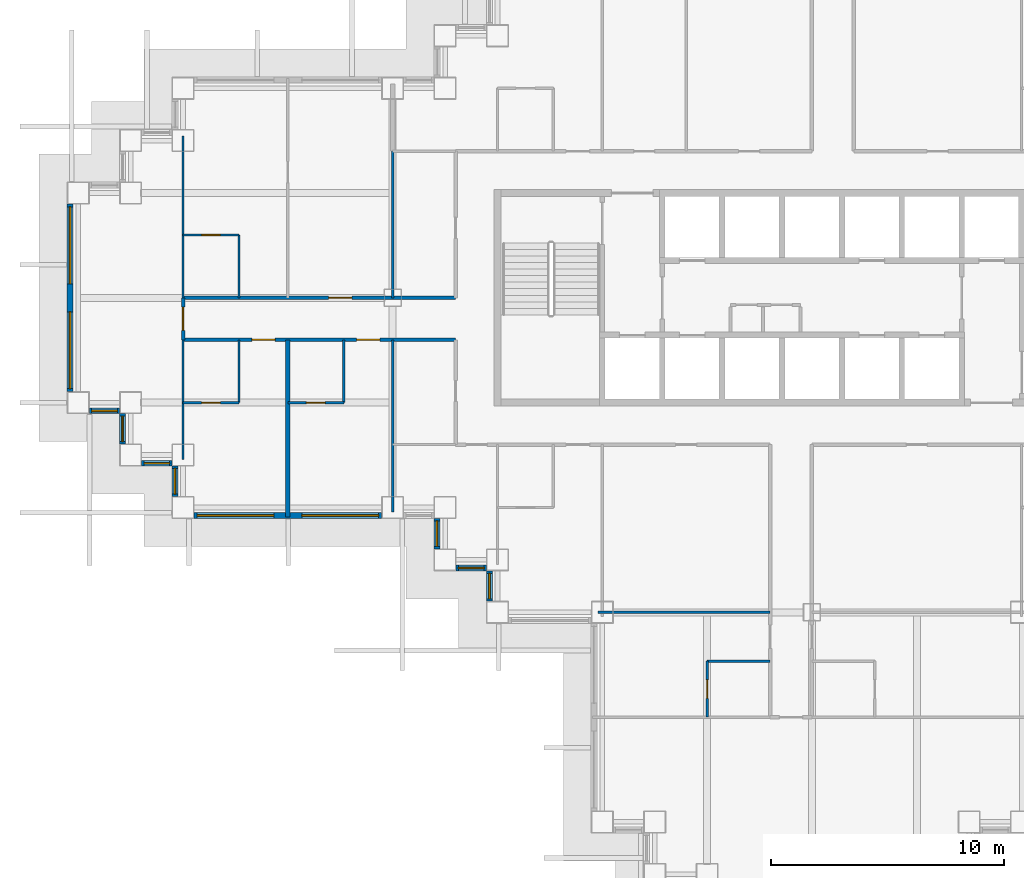
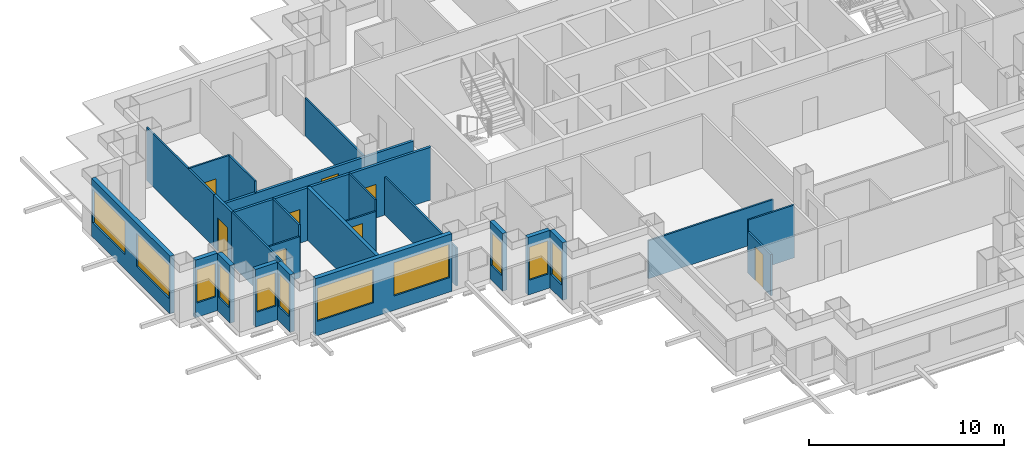
# One storey, part 3 of 15: 26 walls, 11 windows, 8 doors, 19 openings.
"""IFC4 building model written with IfcOpenShell, lengths in metres."""

from ifc_helpers import new_model, si_unit, direction, frame, frame_2d, origin, place, context, subcontext, project, spatial, rectangle, extrude, material, layer, layer_set, type_object, element, fill, save


model = new_model("IFC4")

# Units and contexts
model_context = context("Model", 3, precision=1e-05, world=origin(), true_north=direction((0.0, 1.0)))
body_context = subcontext(model_context, "Body", "Model", "MODEL_VIEW")
ifc_project = project(units=[si_unit("LENGTHUNIT", "METRE"), si_unit("AREAUNIT", "SQUARE_METRE"), si_unit("VOLUMEUNIT", "CUBIC_METRE"), si_unit("PLANEANGLEUNIT", "RADIAN"), si_unit("MASSUNIT", "GRAM", prefix="KILO")], contexts=[model_context])

# Site, building, storey
site_placement = place(None, origin())
site = spatial("IfcSite", under=ifc_project, at=site_placement, CompositionType="ELEMENT")
building_placement = place(site_placement, origin())
building = spatial("IfcBuilding", under=site, at=building_placement, Name="Caravel Reach Hotel and Residences", CompositionType="ELEMENT")
storey_placement = place(building_placement, frame((0.0, 0.0, 81.60009765625)))
storey = spatial("IfcBuildingStorey", under=building, at=storey_placement, Name="L19", CompositionType="ELEMENT", Elevation=81.60009765625)

# Wall
ifc_material_1 = material(Name="Gypsum board on steel stud", Category="steel")
ifc_layer_1 = layer(ifc_material_1, 0.10009765625)
ifc_layer_set_1 = layer_set([ifc_layer_1], Name="Bathroom pod wall 100 mm")
wall_type_1 = type_object("IfcWallType", Name="Bathroom pod wall 100 mm", PredefinedType="PARTITIONING", material=ifc_layer_set_1)
wall_1_placement = place(storey_placement, frame((27.0, 11.39990234375, 0.0), z_axis=(0.0, 0.0, 1.0), x_axis=(1.0, 0.0, 0.0)))
element("IfcWall", 1, at=wall_1_placement, inside=storey, type_object=wall_type_1, Name="L19 wall w083", PredefinedType="PARTITIONING", context=body_context, shape_type="SweptSolid", body=[
    extrude(rectangle(XDim=2.699951171875, YDim=0.10009765625, at=frame_2d((1.35009765625, 0.0))), origin(), (0.0, 0.0, 1.0), 3.2998046875),
])

# Wall, opening, door
wall_2_placement = place(storey_placement, frame((9.0, 22.5, 0.0), z_axis=(0.0, 0.0, 1.0), x_axis=(1.0, 0.0, 0.0)))
wall_2 = element("IfcWall", 2, at=wall_2_placement, inside=storey, type_object=wall_type_1, Name="L19 wall w086", PredefinedType="PARTITIONING", context=body_context, shape_type="SweptSolid", body=[
    extrude(rectangle(XDim=2.39990234375, YDim=0.10009765625, at=frame_2d((1.199951171875, 0.0))), origin(), (0.0, 0.0, 1.0), 2.579833984375),
])
opening_1_placement = place(wall_2_placement, frame((0.800048828125, 0.0, 0.0)))
opening_1 = element("IfcOpeningElement", 3, at=opening_1_placement, cuts=wall_2, Name="Opening D19-017", PredefinedType="OPENING", context=body_context, shape_type="SweptSolid", body=[
    extrude(rectangle(XDim=0.800048828125, YDim=2.10009765625, at=frame_2d((0.39990234375, 1.050048828125))), frame((0.0, 0.06005859375, 0.0), z_axis=(0.0, -1.0, 0.0), x_axis=(1.0, 0.0, 0.0)), (0.0, 0.0, 1.0), 0.1201171875),
])
ifc_material_2 = material(Name="Timber and steel door leaf", Category="steel")
door_type_1 = type_object("IfcDoorType", Name="Bathroom door 800 x 2100", OperationType="SINGLE_SWING_LEFT", PredefinedType="DOOR", material=ifc_material_2)
door_1_placement = place(opening_1_placement, origin())
door_1 = element("IfcDoor", 4, at=door_1_placement, inside=storey, type_object=door_type_1, Name="door D19-017", OperationType="SINGLE_SWING_LEFT", OverallHeight=2.10009765625, OverallWidth=0.800048828125, PredefinedType="DOOR", context=body_context, shape_type="SweptSolid", body=[
    extrude(rectangle(XDim=0.800048828125, YDim=2.10009765625, at=frame_2d((0.39990234375, 1.050048828125))), frame((0.0, 0.02490234375, 0.0), z_axis=(0.0, -1.0, 0.0), x_axis=(1.0, 0.0, 0.0)), (0.0, 0.0, 1.0), 0.050048828125),
])
fill(opening_1, door_1)

wall_3_placement = place(storey_placement, frame((4.5, 22.5, 0.0), z_axis=(0.0, 0.0, 1.0), x_axis=(1.0, 0.0, 0.0)))
wall_3 = element("IfcWall", 5, at=wall_3_placement, inside=storey, type_object=wall_type_1, Name="L19 wall w087", PredefinedType="PARTITIONING", context=body_context, shape_type="SweptSolid", body=[
    extrude(rectangle(XDim=2.39990234375, YDim=0.10009765625, at=frame_2d((1.199951171875, 0.0))), origin(), (0.0, 0.0, 1.0), 2.579833984375),
])
opening_2_placement = place(wall_3_placement, frame((0.800048828125, 0.0, 0.0)))
opening_2 = element("IfcOpeningElement", 6, at=opening_2_placement, cuts=wall_3, Name="Opening D19-019", PredefinedType="OPENING", context=body_context, shape_type="SweptSolid", body=[
    extrude(rectangle(XDim=0.800048828125, YDim=2.10009765625, at=frame_2d((0.39990234375, 1.050048828125))), frame((0.0, 0.06005859375, 0.0), z_axis=(0.0, -1.0, 0.0), x_axis=(1.0, 0.0, 0.0)), (0.0, 0.0, 1.0), 0.1201171875),
])
door_2_placement = place(opening_2_placement, origin())
door_2 = element("IfcDoor", 7, at=door_2_placement, inside=storey, type_object=door_type_1, Name="door D19-019", OperationType="SINGLE_SWING_RIGHT", OverallHeight=2.10009765625, OverallWidth=0.800048828125, PredefinedType="DOOR", context=body_context, shape_type="SweptSolid", body=[
    extrude(rectangle(XDim=0.800048828125, YDim=2.10009765625, at=frame_2d((0.39990234375, 1.050048828125))), frame((0.0, 0.02490234375, 0.0), z_axis=(0.0, -1.0, 0.0), x_axis=(1.0, 0.0, 0.0)), (0.0, 0.0, 1.0), 0.050048828125),
])
fill(opening_2, door_2)

wall_4_placement = place(storey_placement, frame((4.5, 29.699951171875, 0.0), z_axis=(0.0, 0.0, 1.0), x_axis=(1.0, 0.0, 0.0)))
wall_4 = element("IfcWall", 8, at=wall_4_placement, inside=storey, type_object=wall_type_1, Name="L19 wall w092", PredefinedType="PARTITIONING", context=body_context, shape_type="SweptSolid", body=[
    extrude(rectangle(XDim=2.39990234375, YDim=0.10009765625, at=frame_2d((1.199951171875, 0.0))), origin(), (0.0, 0.0, 1.0), 3.2998046875),
])
opening_3_placement = place(wall_4_placement, frame((0.800048828125, 0.0, 0.0)))
opening_3 = element("IfcOpeningElement", 9, at=opening_3_placement, cuts=wall_4, Name="Opening D19-022", PredefinedType="OPENING", context=body_context, shape_type="SweptSolid", body=[
    extrude(rectangle(XDim=0.800048828125, YDim=2.10009765625, at=frame_2d((0.39990234375, 1.050048828125))), frame((0.0, 0.06005859375, 0.0), z_axis=(0.0, -1.0, 0.0), x_axis=(1.0, 0.0, 0.0)), (0.0, 0.0, 1.0), 0.1201171875),
])
door_3_placement = place(opening_3_placement, origin())
door_3 = element("IfcDoor", 10, at=door_3_placement, inside=storey, type_object=door_type_1, Name="door D19-022", OperationType="SINGLE_SWING_LEFT", OverallHeight=2.10009765625, OverallWidth=0.800048828125, PredefinedType="DOOR", context=body_context, shape_type="SweptSolid", body=[
    extrude(rectangle(XDim=0.800048828125, YDim=2.10009765625, at=frame_2d((0.39990234375, 1.050048828125))), frame((0.0, 0.02490234375, 0.0), z_axis=(0.0, -1.0, 0.0), x_axis=(1.0, 0.0, 0.0)), (0.0, 0.0, 1.0), 0.050048828125),
])
fill(opening_3, door_3)

# Wall
wall_5_placement = place(storey_placement, frame((11.39990234375, 22.5, 0.0), z_axis=(0.0, 0.0, 1.0), x_axis=(0.0, 1.0, 0.0)))
element("IfcWall", 11, at=wall_5_placement, inside=storey, type_object=wall_type_1, Name="L19 wall w100", PredefinedType="PARTITIONING", context=body_context, shape_type="SweptSolid", body=[
    extrude(rectangle(XDim=2.699951171875, YDim=0.10009765625, at=frame_2d((1.35009765625, 0.0))), origin(), (0.0, 0.0, 1.0), 3.2998046875),
])

# Wall, opening, door
wall_6_placement = place(storey_placement, frame((27.0, 9.0, 0.0), z_axis=(0.0, 0.0, 1.0), x_axis=(0.0, 1.0, 0.0)))
wall_6 = element("IfcWall", 12, at=wall_6_placement, inside=storey, type_object=wall_type_1, Name="L19 wall w104", PredefinedType="PARTITIONING", context=body_context, shape_type="SweptSolid", body=[
    extrude(rectangle(XDim=2.39990234375, YDim=0.10009765625, at=frame_2d((1.199951171875, 0.0))), origin(), (0.0, 0.0, 1.0), 2.579833984375),
])
opening_4_placement = place(wall_6_placement, frame((0.800048828125, 0.0, 0.0)))
opening_4 = element("IfcOpeningElement", 13, at=opening_4_placement, cuts=wall_6, Name="Opening D19-039", PredefinedType="OPENING", context=body_context, shape_type="SweptSolid", body=[
    extrude(rectangle(XDim=0.800048828125, YDim=2.10009765625, at=frame_2d((0.39990234375, 1.050048828125))), frame((0.0, 0.06005859375, 0.0), z_axis=(0.0, -1.0, 0.0), x_axis=(1.0, 0.0, 0.0)), (0.0, 0.0, 1.0), 0.1201171875),
])
door_4_placement = place(opening_4_placement, origin())
door_4 = element("IfcDoor", 14, at=door_4_placement, inside=storey, type_object=door_type_1, Name="door D19-039", OperationType="SINGLE_SWING_RIGHT", OverallHeight=2.10009765625, OverallWidth=0.800048828125, PredefinedType="DOOR", context=body_context, shape_type="SweptSolid", body=[
    extrude(rectangle(XDim=0.800048828125, YDim=2.10009765625, at=frame_2d((0.39990234375, 1.050048828125))), frame((0.0, 0.02490234375, 0.0), z_axis=(0.0, -1.0, 0.0), x_axis=(1.0, 0.0, 0.0)), (0.0, 0.0, 1.0), 0.050048828125),
])
fill(opening_4, door_4)

# Walls
for number, where, z_axis, x_axis, name in (
    (15, (6.89990234375, 22.5, 0.0), (0.0, 0.0, 1.0), (0.0, 1.0, 0.0), "L19 wall w115"),
    (16, (6.89990234375, 27.0, 0.0), (0.0, 0.0, 1.0), (0.0, 1.0, 0.0), "L19 wall w116"),
):
    element("IfcWall", number, at=place(storey_placement, frame(where, z_axis=z_axis, x_axis=x_axis)), inside=storey, type_object=wall_type_1, Name=name, PredefinedType="PARTITIONING", context=body_context, shape_type="SweptSolid", body=[
        extrude(rectangle(XDim=2.699951171875, YDim=0.10009765625, at=frame_2d((1.35009765625, 0.0))), origin(), (0.0, 0.0, 1.0), 3.2998046875),
    ])

# Wall, openings, doors
ifc_material_3 = material(Name="Gypsum board on steel stud, fire-rated", Category="steel")
ifc_layer_2 = layer(ifc_material_3, 0.14990234375)
ifc_layer_set_2 = layer_set([ifc_layer_2], Name="Corridor wall 150 mm EI 60")
wall_type_2 = type_object("IfcWallType", Name="Corridor wall 150 mm EI 60", PredefinedType="PARTITIONING", material=ifc_layer_set_2)
wall_7_placement = place(storey_placement, frame((4.5, 25.199951171875, 0.0), z_axis=(0.0, 0.0, 1.0), x_axis=(1.0, 0.0, 0.0)))
wall_7 = element("IfcWall", 17, at=wall_7_placement, inside=storey, type_object=wall_type_2, Name="L19 wall w008", PredefinedType="PARTITIONING", context=body_context, shape_type="SweptSolid", body=[
    extrude(rectangle(XDim=11.699951171875, YDim=0.14990234375, at=frame_2d((5.85009765625, 0.0))), origin(), (0.0, 0.0, 1.0), 3.2998046875),
])
opening_5_placement = place(wall_7_placement, frame((7.449951171875, 0.0, 0.0)))
opening_5 = element("IfcOpeningElement", 18, at=opening_5_placement, cuts=wall_7, Name="Opening D19-016", PredefinedType="OPENING", context=body_context, shape_type="SweptSolid", body=[
    extrude(rectangle(XDim=1.0, YDim=2.10009765625, at=frame_2d((0.5, 1.050048828125))), frame((0.0, 0.0849609375, 0.0), z_axis=(0.0, -1.0, 0.0), x_axis=(1.0, 0.0, 0.0)), (0.0, 0.0, 1.0), 0.169921875),
])
opening_6_placement = place(wall_7_placement, frame((2.949951171875, 0.0, 0.0)))
opening_6 = element("IfcOpeningElement", 19, at=opening_6_placement, cuts=wall_7, Name="Opening D19-018", PredefinedType="OPENING", context=body_context, shape_type="SweptSolid", body=[
    extrude(rectangle(XDim=1.0, YDim=2.10009765625, at=frame_2d((0.5, 1.050048828125))), frame((0.0, 0.0849609375, 0.0), z_axis=(0.0, -1.0, 0.0), x_axis=(1.0, 0.0, 0.0)), (0.0, 0.0, 1.0), 0.169921875),
])
ifc_material_4 = material(Name="Steel fire door leaf", Category="steel")
door_type_2 = type_object("IfcDoorType", Name="Guest room door 1000 x 2100 EI 30", OperationType="SINGLE_SWING_LEFT", PredefinedType="DOOR", material=ifc_material_4)
door_5_placement = place(opening_5_placement, origin())
door_5 = element("IfcDoor", 20, at=door_5_placement, inside=storey, type_object=door_type_2, Name="door D19-016", OperationType="SINGLE_SWING_RIGHT", OverallHeight=2.10009765625, OverallWidth=1.0, PredefinedType="DOOR", context=body_context, shape_type="SweptSolid", body=[
    extrude(rectangle(XDim=1.0, YDim=2.10009765625, at=frame_2d((0.5, 1.050048828125))), frame((0.0, 0.02490234375, 0.0), z_axis=(0.0, -1.0, 0.0), x_axis=(1.0, 0.0, 0.0)), (0.0, 0.0, 1.0), 0.050048828125),
])
fill(opening_5, door_5)
door_6_placement = place(opening_6_placement, origin())
door_6 = element("IfcDoor", 21, at=door_6_placement, inside=storey, type_object=door_type_2, Name="door D19-018", OperationType="SINGLE_SWING_RIGHT", OverallHeight=2.10009765625, OverallWidth=1.0, PredefinedType="DOOR", context=body_context, shape_type="SweptSolid", body=[
    extrude(rectangle(XDim=1.0, YDim=2.10009765625, at=frame_2d((0.5, 1.050048828125))), frame((0.0, 0.02490234375, 0.0), z_axis=(0.0, -1.0, 0.0), x_axis=(1.0, 0.0, 0.0)), (0.0, 0.0, 1.0), 0.050048828125),
])
fill(opening_6, door_6)

# Wall, opening, door
wall_8_placement = place(storey_placement, frame((4.5, 27.0, 0.0), z_axis=(0.0, 0.0, 1.0), x_axis=(1.0, 0.0, 0.0)))
wall_8 = element("IfcWall", 22, at=wall_8_placement, inside=storey, type_object=wall_type_2, Name="L19 wall w014", PredefinedType="PARTITIONING", context=body_context, shape_type="SweptSolid", body=[
    extrude(rectangle(XDim=11.699951171875, YDim=0.14990234375, at=frame_2d((5.85009765625, 0.0))), origin(), (0.0, 0.0, 1.0), 2.579833984375),
])
opening_7_placement = place(wall_8_placement, frame((6.25, 0.0, 0.0)))
opening_7 = element("IfcOpeningElement", 23, at=opening_7_placement, cuts=wall_8, Name="Opening D19-020", PredefinedType="OPENING", context=body_context, shape_type="SweptSolid", body=[
    extrude(rectangle(XDim=1.0, YDim=2.10009765625, at=frame_2d((0.5, 1.050048828125))), frame((0.0, 0.0849609375, 0.0), z_axis=(0.0, -1.0, 0.0), x_axis=(1.0, 0.0, 0.0)), (0.0, 0.0, 1.0), 0.169921875),
])
door_7_placement = place(opening_7_placement, origin())
door_7 = element("IfcDoor", 24, at=door_7_placement, inside=storey, type_object=door_type_2, Name="door D19-020", OperationType="SINGLE_SWING_LEFT", OverallHeight=2.10009765625, OverallWidth=1.0, PredefinedType="DOOR", context=body_context, shape_type="SweptSolid", body=[
    extrude(rectangle(XDim=1.0, YDim=2.10009765625, at=frame_2d((0.5, 1.050048828125))), frame((0.0, 0.02490234375, 0.0), z_axis=(0.0, -1.0, 0.0), x_axis=(1.0, 0.0, 0.0)), (0.0, 0.0, 1.0), 0.050048828125),
])
fill(opening_7, door_7)

wall_9_placement = place(storey_placement, frame((4.5, 25.199951171875, 0.0), z_axis=(0.0, 0.0, 1.0), x_axis=(0.0, 1.0, 0.0)))
wall_9 = element("IfcWall", 25, at=wall_9_placement, inside=storey, type_object=wall_type_2, Name="L19 wall w039", PredefinedType="PARTITIONING", context=body_context, shape_type="SweptSolid", body=[
    extrude(rectangle(XDim=1.800048828125, YDim=0.14990234375, at=frame_2d((0.89990234375, 0.0))), origin(), (0.0, 0.0, 1.0), 3.2998046875),
])
opening_8_placement = place(wall_9_placement, frame((0.39990234375, 0.0, 0.0)))
opening_8 = element("IfcOpeningElement", 26, at=opening_8_placement, cuts=wall_9, Name="Opening D19-042", PredefinedType="OPENING", context=body_context, shape_type="SweptSolid", body=[
    extrude(rectangle(XDim=1.0, YDim=2.10009765625, at=frame_2d((0.5, 1.050048828125))), frame((0.0, 0.0849609375, 0.0), z_axis=(0.0, -1.0, 0.0), x_axis=(1.0, 0.0, 0.0)), (0.0, 0.0, 1.0), 0.169921875),
])
door_8_placement = place(opening_8_placement, origin())
door_8 = element("IfcDoor", 27, at=door_8_placement, inside=storey, type_object=door_type_2, Name="door D19-042", OperationType="SINGLE_SWING_RIGHT", OverallHeight=2.10009765625, OverallWidth=1.0, PredefinedType="DOOR", context=body_context, shape_type="SweptSolid", body=[
    extrude(rectangle(XDim=1.0, YDim=2.10009765625, at=frame_2d((0.5, 1.050048828125))), frame((0.0, 0.02490234375, 0.0), z_axis=(0.0, -1.0, 0.0), x_axis=(1.0, 0.0, 0.0)), (0.0, 0.0, 1.0), 0.050048828125),
])
fill(opening_8, door_8)

# Wall, openings, windows
ifc_material_5 = material(Name="Insulated rainscreen wall, aluminium cladding", Category="aluminium")
ifc_layer_3 = layer(ifc_material_5, 0.25)
ifc_layer_set_3 = layer_set([ifc_layer_3], Name="EW1 Tower rainscreen wall")
wall_type_3 = type_object("IfcWallType", Name="EW1 Tower rainscreen wall", PredefinedType="SOLIDWALL", material=ifc_layer_set_3)
wall_10_placement = place(storey_placement, frame((-0.35009765625, 31.02490234375, 0.0), z_axis=(0.0, 0.0, 1.0), x_axis=(0.0, -1.0, 0.0)))
wall_10 = element("IfcWall", 28, at=wall_10_placement, inside=storey, type_object=wall_type_3, Name="External wall L19 W50.1", PredefinedType="SOLIDWALL", context=body_context, shape_type="SweptSolid", body=[
    extrude(rectangle(XDim=8.0498046875, YDim=0.25, at=frame_2d((4.02490234375, 0.0))), origin(), (0.0, 0.0, 1.0), 3.599853515625),
])
opening_9_placement = place(wall_10_placement, frame((0.125, 0.0, 0.89990234375)))
opening_9 = element("IfcOpeningElement", 29, at=opening_9_placement, cuts=wall_10, Name="Opening WN4", PredefinedType="OPENING", context=body_context, shape_type="SweptSolid", body=[
    extrude(rectangle(XDim=3.300048828125, YDim=2.080078125, at=frame_2d((1.64990234375, 1.0400390625))), frame((0.0, 0.135009765625, 0.0), z_axis=(0.0, -1.0, 0.0), x_axis=(1.0, 0.0, 0.0)), (0.0, 0.0, 1.0), 0.27001953125),
])
opening_10_placement = place(wall_10_placement, frame((4.625, 0.0, 0.89990234375)))
opening_10 = element("IfcOpeningElement", 30, at=opening_10_placement, cuts=wall_10, Name="Opening WN4", PredefinedType="OPENING", context=body_context, shape_type="SweptSolid", body=[
    extrude(rectangle(XDim=3.300048828125, YDim=2.080078125, at=frame_2d((1.64990234375, 1.0400390625))), frame((0.0, 0.135009765625, 0.0), z_axis=(0.0, -1.0, 0.0), x_axis=(1.0, 0.0, 0.0)), (0.0, 0.0, 1.0), 0.27001953125),
])
ifc_material_6 = material(Name="Dark low-e glazing in black aluminium frame", Category="aluminium")
window_type_1 = type_object("IfcWindowType", Name="Hotel guest room window 3300 x 2080", PartitioningType="SINGLE_PANEL", PredefinedType="WINDOW", material=ifc_material_6)
window_1_placement = place(opening_9_placement, origin())
window_1 = element("IfcWindow", 31, at=window_1_placement, inside=storey, type_object=window_type_1, Name="Window L19 W50.1.1", OverallHeight=2.080078125, OverallWidth=3.300048828125, PartitioningType="SINGLE_PANEL", PredefinedType="WINDOW", context=body_context, shape_type="SweptSolid", body=[
    extrude(rectangle(XDim=3.300048828125, YDim=2.080078125, at=frame_2d((1.64990234375, 1.0400390625))), frame((0.0, 0.030029296875, 0.0), z_axis=(0.0, -1.0, 0.0), x_axis=(1.0, 0.0, 0.0)), (0.0, 0.0, 1.0), 0.06005859375),
])
fill(opening_9, window_1)
window_2_placement = place(opening_10_placement, origin())
window_2 = element("IfcWindow", 32, at=window_2_placement, inside=storey, type_object=window_type_1, Name="Window L19 W50.1.2", OverallHeight=2.080078125, OverallWidth=3.300048828125, PartitioningType="SINGLE_PANEL", PredefinedType="WINDOW", context=body_context, shape_type="SweptSolid", body=[
    extrude(rectangle(XDim=3.300048828125, YDim=2.080078125, at=frame_2d((1.64990234375, 1.0400390625))), frame((0.0, 0.030029296875, 0.0), z_axis=(0.0, -1.0, 0.0), x_axis=(1.0, 0.0, 0.0)), (0.0, 0.0, 1.0), 0.06005859375),
])
fill(opening_10, window_2)

# Wall, opening, window
wall_11_placement = place(storey_placement, frame((0.47509765625, 22.14990234375, 0.0), z_axis=(0.0, 0.0, 1.0), x_axis=(1.0, 0.0, 0.0)))
wall_11 = element("IfcWall", 33, at=wall_11_placement, inside=storey, type_object=wall_type_3, Name="External wall L19 S51.1", PredefinedType="SOLIDWALL", context=body_context, shape_type="SweptSolid", body=[
    extrude(rectangle(XDim=1.2998046875, YDim=0.25, at=frame_2d((0.64990234375, 0.0))), origin(), (0.0, 0.0, 1.0), 3.599853515625),
])
opening_11_placement = place(wall_11_placement, frame((0.10009765625, 0.0, 0.89990234375)))
opening_11 = element("IfcOpeningElement", 34, at=opening_11_placement, cuts=wall_11, Name="Opening WN5", PredefinedType="OPENING", context=body_context, shape_type="SweptSolid", body=[
    extrude(rectangle(XDim=1.10009765625, YDim=2.080078125, at=frame_2d((0.550048828125, 1.0400390625))), frame((0.0, 0.135009765625, 0.0), z_axis=(0.0, -1.0, 0.0), x_axis=(1.0, 0.0, 0.0)), (0.0, 0.0, 1.0), 0.27001953125),
])
ifc_material_7 = material(Name="Dark low-e glazing in black aluminium frame", Category="aluminium")
window_type_2 = type_object("IfcWindowType", Name="Hotel suite corner window 1100 x 2080", PartitioningType="SINGLE_PANEL", PredefinedType="WINDOW", material=ifc_material_7)
window_3_placement = place(opening_11_placement, origin())
window_3 = element("IfcWindow", 35, at=window_3_placement, inside=storey, type_object=window_type_2, Name="Window L19 S51.1.1", OverallHeight=2.080078125, OverallWidth=1.10009765625, PartitioningType="SINGLE_PANEL", PredefinedType="WINDOW", context=body_context, shape_type="SweptSolid", body=[
    extrude(rectangle(XDim=1.10009765625, YDim=2.080078125, at=frame_2d((0.550048828125, 1.0400390625))), frame((0.0, 0.030029296875, 0.0), z_axis=(0.0, -1.0, 0.0), x_axis=(1.0, 0.0, 0.0)), (0.0, 0.0, 1.0), 0.06005859375),
])
fill(opening_11, window_3)

wall_12_placement = place(storey_placement, frame((1.89990234375, 22.02490234375, 0.0), z_axis=(0.0, 0.0, 1.0), x_axis=(0.0, -1.0, 0.0)))
wall_12 = element("IfcWall", 36, at=wall_12_placement, inside=storey, type_object=wall_type_3, Name="External wall L19 W52.1", PredefinedType="SOLIDWALL", context=body_context, shape_type="SweptSolid", body=[
    extrude(rectangle(XDim=1.2998046875, YDim=0.25, at=frame_2d((0.64990234375, 0.0))), origin(), (0.0, 0.0, 1.0), 3.599853515625),
])
opening_12_placement = place(wall_12_placement, frame((0.10009765625, 0.0, 0.89990234375)))
opening_12 = element("IfcOpeningElement", 37, at=opening_12_placement, cuts=wall_12, Name="Opening WN5", PredefinedType="OPENING", context=body_context, shape_type="SweptSolid", body=[
    extrude(rectangle(XDim=1.10009765625, YDim=2.080078125, at=frame_2d((0.550048828125, 1.0400390625))), frame((0.0, 0.135009765625, 0.0), z_axis=(0.0, -1.0, 0.0), x_axis=(1.0, 0.0, 0.0)), (0.0, 0.0, 1.0), 0.27001953125),
])
window_4_placement = place(opening_12_placement, origin())
window_4 = element("IfcWindow", 38, at=window_4_placement, inside=storey, type_object=window_type_2, Name="Window L19 W52.1.1", OverallHeight=2.080078125, OverallWidth=1.10009765625, PartitioningType="SINGLE_PANEL", PredefinedType="WINDOW", context=body_context, shape_type="SweptSolid", body=[
    extrude(rectangle(XDim=1.10009765625, YDim=2.080078125, at=frame_2d((0.550048828125, 1.0400390625))), frame((0.0, 0.030029296875, 0.0), z_axis=(0.0, -1.0, 0.0), x_axis=(1.0, 0.0, 0.0)), (0.0, 0.0, 1.0), 0.06005859375),
])
fill(opening_12, window_4)

wall_13_placement = place(storey_placement, frame((2.72509765625, 19.89990234375, 0.0), z_axis=(0.0, 0.0, 1.0), x_axis=(1.0, 0.0, 0.0)))
wall_13 = element("IfcWall", 39, at=wall_13_placement, inside=storey, type_object=wall_type_3, Name="External wall L19 S53.1", PredefinedType="SOLIDWALL", context=body_context, shape_type="SweptSolid", body=[
    extrude(rectangle(XDim=1.2998046875, YDim=0.25, at=frame_2d((0.64990234375, 0.0))), origin(), (0.0, 0.0, 1.0), 3.599853515625),
])
opening_13_placement = place(wall_13_placement, frame((0.10009765625, 0.0, 0.89990234375)))
opening_13 = element("IfcOpeningElement", 40, at=opening_13_placement, cuts=wall_13, Name="Opening WN5", PredefinedType="OPENING", context=body_context, shape_type="SweptSolid", body=[
    extrude(rectangle(XDim=1.10009765625, YDim=2.080078125, at=frame_2d((0.550048828125, 1.0400390625))), frame((0.0, 0.135009765625, 0.0), z_axis=(0.0, -1.0, 0.0), x_axis=(1.0, 0.0, 0.0)), (0.0, 0.0, 1.0), 0.27001953125),
])
window_5_placement = place(opening_13_placement, origin())
window_5 = element("IfcWindow", 41, at=window_5_placement, inside=storey, type_object=window_type_2, Name="Window L19 S53.1.1", OverallHeight=2.080078125, OverallWidth=1.10009765625, PartitioningType="SINGLE_PANEL", PredefinedType="WINDOW", context=body_context, shape_type="SweptSolid", body=[
    extrude(rectangle(XDim=1.10009765625, YDim=2.080078125, at=frame_2d((0.550048828125, 1.0400390625))), frame((0.0, 0.030029296875, 0.0), z_axis=(0.0, -1.0, 0.0), x_axis=(1.0, 0.0, 0.0)), (0.0, 0.0, 1.0), 0.06005859375),
])
fill(opening_13, window_5)

wall_14_placement = place(storey_placement, frame((4.14990234375, 19.77490234375, 0.0), z_axis=(0.0, 0.0, 1.0), x_axis=(0.0, -1.0, 0.0)))
wall_14 = element("IfcWall", 42, at=wall_14_placement, inside=storey, type_object=wall_type_3, Name="External wall L19 W54.1", PredefinedType="SOLIDWALL", context=body_context, shape_type="SweptSolid", body=[
    extrude(rectangle(XDim=1.2998046875, YDim=0.25, at=frame_2d((0.64990234375, 0.0))), origin(), (0.0, 0.0, 1.0), 3.599853515625),
])
opening_14_placement = place(wall_14_placement, frame((0.10009765625, 0.0, 0.89990234375)))
opening_14 = element("IfcOpeningElement", 43, at=opening_14_placement, cuts=wall_14, Name="Opening WN5", PredefinedType="OPENING", context=body_context, shape_type="SweptSolid", body=[
    extrude(rectangle(XDim=1.10009765625, YDim=2.080078125, at=frame_2d((0.550048828125, 1.0400390625))), frame((0.0, 0.135009765625, 0.0), z_axis=(0.0, -1.0, 0.0), x_axis=(1.0, 0.0, 0.0)), (0.0, 0.0, 1.0), 0.27001953125),
])
window_6_placement = place(opening_14_placement, origin())
window_6 = element("IfcWindow", 44, at=window_6_placement, inside=storey, type_object=window_type_2, Name="Window L19 W54.1.1", OverallHeight=2.080078125, OverallWidth=1.10009765625, PartitioningType="SINGLE_PANEL", PredefinedType="WINDOW", context=body_context, shape_type="SweptSolid", body=[
    extrude(rectangle(XDim=1.10009765625, YDim=2.080078125, at=frame_2d((0.550048828125, 1.0400390625))), frame((0.0, 0.030029296875, 0.0), z_axis=(0.0, -1.0, 0.0), x_axis=(1.0, 0.0, 0.0)), (0.0, 0.0, 1.0), 0.06005859375),
])
fill(opening_14, window_6)

# Wall, openings, windows
wall_15_placement = place(storey_placement, frame((4.97509765625, 17.64990234375, 0.0), z_axis=(0.0, 0.0, 1.0), x_axis=(1.0, 0.0, 0.0)))
wall_15 = element("IfcWall", 45, at=wall_15_placement, inside=storey, type_object=wall_type_3, Name="External wall L19 S55.1", PredefinedType="SOLIDWALL", context=body_context, shape_type="SweptSolid", body=[
    extrude(rectangle(XDim=8.0498046875, YDim=0.25, at=frame_2d((4.02490234375, 0.0))), origin(), (0.0, 0.0, 1.0), 3.599853515625),
])
opening_15_placement = place(wall_15_placement, frame((0.125, 0.0, 0.89990234375)))
opening_15 = element("IfcOpeningElement", 46, at=opening_15_placement, cuts=wall_15, Name="Opening WN4", PredefinedType="OPENING", context=body_context, shape_type="SweptSolid", body=[
    extrude(rectangle(XDim=3.300048828125, YDim=2.080078125, at=frame_2d((1.64990234375, 1.0400390625))), frame((0.0, 0.135009765625, 0.0), z_axis=(0.0, -1.0, 0.0), x_axis=(1.0, 0.0, 0.0)), (0.0, 0.0, 1.0), 0.27001953125),
])
opening_16_placement = place(wall_15_placement, frame((4.625, 0.0, 0.89990234375)))
opening_16 = element("IfcOpeningElement", 47, at=opening_16_placement, cuts=wall_15, Name="Opening WN4", PredefinedType="OPENING", context=body_context, shape_type="SweptSolid", body=[
    extrude(rectangle(XDim=3.300048828125, YDim=2.080078125, at=frame_2d((1.64990234375, 1.0400390625))), frame((0.0, 0.135009765625, 0.0), z_axis=(0.0, -1.0, 0.0), x_axis=(1.0, 0.0, 0.0)), (0.0, 0.0, 1.0), 0.27001953125),
])
window_7_placement = place(opening_15_placement, origin())
window_7 = element("IfcWindow", 48, at=window_7_placement, inside=storey, type_object=window_type_1, Name="Window L19 S55.1.1", OverallHeight=2.080078125, OverallWidth=3.300048828125, PartitioningType="SINGLE_PANEL", PredefinedType="WINDOW", context=body_context, shape_type="SweptSolid", body=[
    extrude(rectangle(XDim=3.300048828125, YDim=2.080078125, at=frame_2d((1.64990234375, 1.0400390625))), frame((0.0, 0.030029296875, 0.0), z_axis=(0.0, -1.0, 0.0), x_axis=(1.0, 0.0, 0.0)), (0.0, 0.0, 1.0), 0.06005859375),
])
fill(opening_15, window_7)
window_8_placement = place(opening_16_placement, origin())
window_8 = element("IfcWindow", 49, at=window_8_placement, inside=storey, type_object=window_type_1, Name="Window L19 S55.1.2", OverallHeight=2.080078125, OverallWidth=3.300048828125, PartitioningType="SINGLE_PANEL", PredefinedType="WINDOW", context=body_context, shape_type="SweptSolid", body=[
    extrude(rectangle(XDim=3.300048828125, YDim=2.080078125, at=frame_2d((1.64990234375, 1.0400390625))), frame((0.0, 0.030029296875, 0.0), z_axis=(0.0, -1.0, 0.0), x_axis=(1.0, 0.0, 0.0)), (0.0, 0.0, 1.0), 0.06005859375),
])
fill(opening_16, window_8)

# Wall, opening, window
wall_16_placement = place(storey_placement, frame((15.39990234375, 17.52490234375, 0.0), z_axis=(0.0, 0.0, 1.0), x_axis=(0.0, -1.0, 0.0)))
wall_16 = element("IfcWall", 50, at=wall_16_placement, inside=storey, type_object=wall_type_3, Name="External wall L19 W56.1", PredefinedType="SOLIDWALL", context=body_context, shape_type="SweptSolid", body=[
    extrude(rectangle(XDim=1.2998046875, YDim=0.25, at=frame_2d((0.64990234375, 0.0))), origin(), (0.0, 0.0, 1.0), 3.599853515625),
])
opening_17_placement = place(wall_16_placement, frame((0.10009765625, 0.0, 0.89990234375)))
opening_17 = element("IfcOpeningElement", 51, at=opening_17_placement, cuts=wall_16, Name="Opening WN5", PredefinedType="OPENING", context=body_context, shape_type="SweptSolid", body=[
    extrude(rectangle(XDim=1.10009765625, YDim=2.080078125, at=frame_2d((0.550048828125, 1.0400390625))), frame((0.0, 0.135009765625, 0.0), z_axis=(0.0, -1.0, 0.0), x_axis=(1.0, 0.0, 0.0)), (0.0, 0.0, 1.0), 0.27001953125),
])
window_9_placement = place(opening_17_placement, origin())
window_9 = element("IfcWindow", 52, at=window_9_placement, inside=storey, type_object=window_type_2, Name="Window L19 W56.1.1", OverallHeight=2.080078125, OverallWidth=1.10009765625, PartitioningType="SINGLE_PANEL", PredefinedType="WINDOW", context=body_context, shape_type="SweptSolid", body=[
    extrude(rectangle(XDim=1.10009765625, YDim=2.080078125, at=frame_2d((0.550048828125, 1.0400390625))), frame((0.0, 0.030029296875, 0.0), z_axis=(0.0, -1.0, 0.0), x_axis=(1.0, 0.0, 0.0)), (0.0, 0.0, 1.0), 0.06005859375),
])
fill(opening_17, window_9)

wall_17_placement = place(storey_placement, frame((16.22509765625, 15.39990234375, 0.0), z_axis=(0.0, 0.0, 1.0), x_axis=(1.0, 0.0, 0.0)))
wall_17 = element("IfcWall", 53, at=wall_17_placement, inside=storey, type_object=wall_type_3, Name="External wall L19 S57.1", PredefinedType="SOLIDWALL", context=body_context, shape_type="SweptSolid", body=[
    extrude(rectangle(XDim=1.2998046875, YDim=0.25, at=frame_2d((0.64990234375, 0.0))), origin(), (0.0, 0.0, 1.0), 3.599853515625),
])
opening_18_placement = place(wall_17_placement, frame((0.10009765625, 0.0, 0.89990234375)))
opening_18 = element("IfcOpeningElement", 54, at=opening_18_placement, cuts=wall_17, Name="Opening WN5", PredefinedType="OPENING", context=body_context, shape_type="SweptSolid", body=[
    extrude(rectangle(XDim=1.10009765625, YDim=2.080078125, at=frame_2d((0.550048828125, 1.0400390625))), frame((0.0, 0.135009765625, 0.0), z_axis=(0.0, -1.0, 0.0), x_axis=(1.0, 0.0, 0.0)), (0.0, 0.0, 1.0), 0.27001953125),
])
window_10_placement = place(opening_18_placement, origin())
window_10 = element("IfcWindow", 55, at=window_10_placement, inside=storey, type_object=window_type_2, Name="Window L19 S57.1.1", OverallHeight=2.080078125, OverallWidth=1.10009765625, PartitioningType="SINGLE_PANEL", PredefinedType="WINDOW", context=body_context, shape_type="SweptSolid", body=[
    extrude(rectangle(XDim=1.10009765625, YDim=2.080078125, at=frame_2d((0.550048828125, 1.0400390625))), frame((0.0, 0.030029296875, 0.0), z_axis=(0.0, -1.0, 0.0), x_axis=(1.0, 0.0, 0.0)), (0.0, 0.0, 1.0), 0.06005859375),
])
fill(opening_18, window_10)

wall_18_placement = place(storey_placement, frame((17.64990234375, 15.27490234375, 0.0), z_axis=(0.0, 0.0, 1.0), x_axis=(0.0, -1.0, 0.0)))
wall_18 = element("IfcWall", 56, at=wall_18_placement, inside=storey, type_object=wall_type_3, Name="External wall L19 W58.1", PredefinedType="SOLIDWALL", context=body_context, shape_type="SweptSolid", body=[
    extrude(rectangle(XDim=1.2998046875, YDim=0.25, at=frame_2d((0.64990234375, 0.0))), origin(), (0.0, 0.0, 1.0), 3.599853515625),
])
opening_19_placement = place(wall_18_placement, frame((0.10009765625, 0.0, 0.89990234375)))
opening_19 = element("IfcOpeningElement", 57, at=opening_19_placement, cuts=wall_18, Name="Opening WN5", PredefinedType="OPENING", context=body_context, shape_type="SweptSolid", body=[
    extrude(rectangle(XDim=1.10009765625, YDim=2.080078125, at=frame_2d((0.550048828125, 1.0400390625))), frame((0.0, 0.135009765625, 0.0), z_axis=(0.0, -1.0, 0.0), x_axis=(1.0, 0.0, 0.0)), (0.0, 0.0, 1.0), 0.27001953125),
])
window_11_placement = place(opening_19_placement, origin())
window_11 = element("IfcWindow", 58, at=window_11_placement, inside=storey, type_object=window_type_2, Name="Window L19 W58.1.1", OverallHeight=2.080078125, OverallWidth=1.10009765625, PartitioningType="SINGLE_PANEL", PredefinedType="WINDOW", context=body_context, shape_type="SweptSolid", body=[
    extrude(rectangle(XDim=1.10009765625, YDim=2.080078125, at=frame_2d((0.550048828125, 1.0400390625))), frame((0.0, 0.030029296875, 0.0), z_axis=(0.0, -1.0, 0.0), x_axis=(1.0, 0.0, 0.0)), (0.0, 0.0, 1.0), 0.06005859375),
])
fill(opening_19, window_11)

# Walls
ifc_material_8 = material(Name="Gypsum board on steel stud", Category="steel")
ifc_layer_4 = layer(ifc_material_8, 0.10009765625)
ifc_layer_set_4 = layer_set([ifc_layer_4], Name="Partition 100 mm")
wall_type_4 = type_object("IfcWallType", Name="Partition 100 mm", PredefinedType="PARTITIONING", material=ifc_layer_set_4)
for number, where, z_axis, x_axis, name in (
    (59, (22.31005859375, 13.5, 0.0), (0.0, 0.0, 1.0), (1.0, 0.0, 0.0), "L19 wall w044"),
    (60, (13.5, 17.81005859375, 0.0), (0.0, 0.0, 1.0), (0.0, 1.0, 0.0), "L19 wall w058"),
):
    element("IfcWall", number, at=place(storey_placement, frame(where, z_axis=z_axis, x_axis=x_axis)), inside=storey, type_object=wall_type_4, Name=name, PredefinedType="PARTITIONING", context=body_context, shape_type="SweptSolid", body=[
        extrude(rectangle(XDim=7.389892578125, YDim=0.10009765625, at=frame_2d((3.69482421875, 0.0))), origin(), (0.0, 0.0, 1.0), 2.3798828125),
    ])
wall_19_placement = place(storey_placement, frame((13.5, 27.0, 0.0), z_axis=(0.0, 0.0, 1.0), x_axis=(0.0, 1.0, 0.0)))
element("IfcWall", 61, at=wall_19_placement, inside=storey, type_object=wall_type_4, Name="L19 wall w059", PredefinedType="PARTITIONING", context=body_context, shape_type="SweptSolid", body=[
    extrude(rectangle(XDim=6.300048828125, YDim=0.10009765625, at=frame_2d((3.14990234375, 0.0))), origin(), (0.0, 0.0, 1.0), 2.3798828125),
])
wall_20_placement = place(storey_placement, frame((4.5, 20.06005859375, 0.0), z_axis=(0.0, 0.0, 1.0), x_axis=(0.0, 1.0, 0.0)))
element("IfcWall", 62, at=wall_20_placement, inside=storey, type_object=wall_type_4, Name="L19 wall w064", PredefinedType="PARTITIONING", context=body_context, shape_type="SweptSolid", body=[
    extrude(rectangle(XDim=5.139892578125, YDim=0.10009765625, at=frame_2d((2.56982421875, 0.0))), origin(), (0.0, 0.0, 1.0), 3.2998046875),
])
wall_21_placement = place(storey_placement, frame((4.5, 27.0, 0.0), z_axis=(0.0, 0.0, 1.0), x_axis=(0.0, 1.0, 0.0)))
element("IfcWall", 63, at=wall_21_placement, inside=storey, type_object=wall_type_4, Name="L19 wall w065", PredefinedType="PARTITIONING", context=body_context, shape_type="SweptSolid", body=[
    extrude(rectangle(XDim=6.93994140625, YDim=0.10009765625, at=frame_2d((3.469970703125, 0.0))), origin(), (0.0, 0.0, 1.0), 3.2998046875),
])
ifc_material_9 = material(Name="Autoclaved aerated block wall")
ifc_layer_5 = layer(ifc_material_9, 0.199951171875)
ifc_layer_set_5 = layer_set([ifc_layer_5], Name="Party wall 200 mm EI 60")
wall_type_5 = type_object("IfcWallType", Name="Party wall 200 mm EI 60", PredefinedType="PARTITIONING", material=ifc_layer_set_5)
wall_22_placement = place(storey_placement, frame((9.0, 17.5849609375, 0.0), z_axis=(0.0, 0.0, 1.0), x_axis=(0.0, 1.0, 0.0)))
element("IfcWall", 64, at=wall_22_placement, inside=storey, type_object=wall_type_5, Name="L19 wall w081", PredefinedType="PARTITIONING", context=body_context, shape_type="SweptSolid", body=[
    extrude(rectangle(XDim=7.614990234375, YDim=0.199951171875, at=frame_2d((3.8076171875, 0.0))), origin(), (0.0, 0.0, 1.0), 3.2998046875),
])

save(model, "model.ifc")
